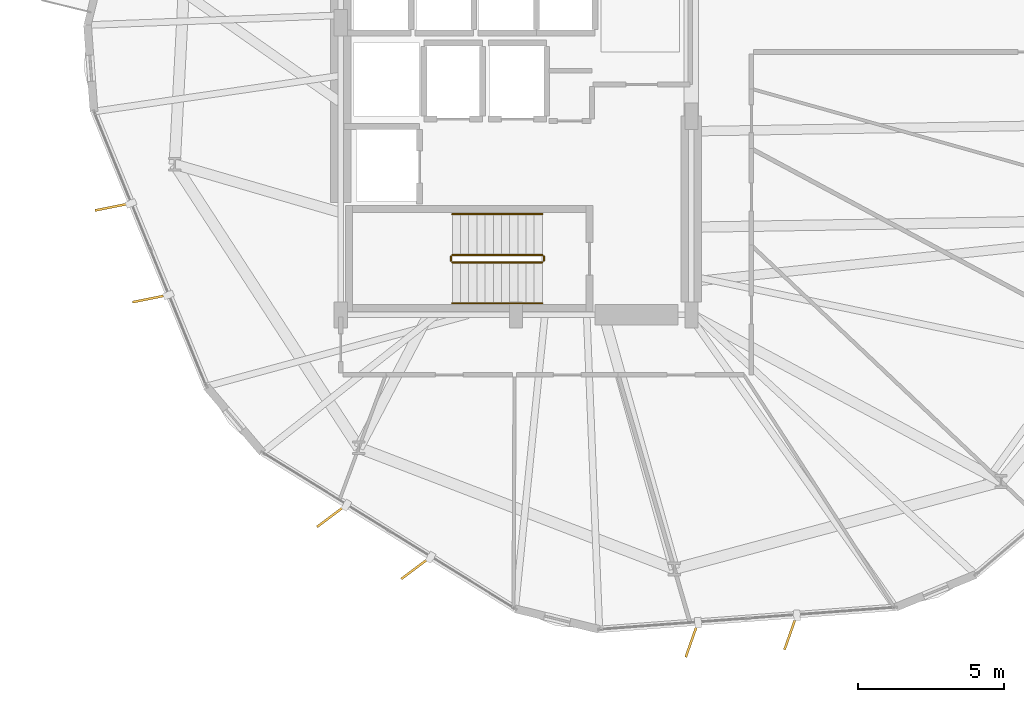
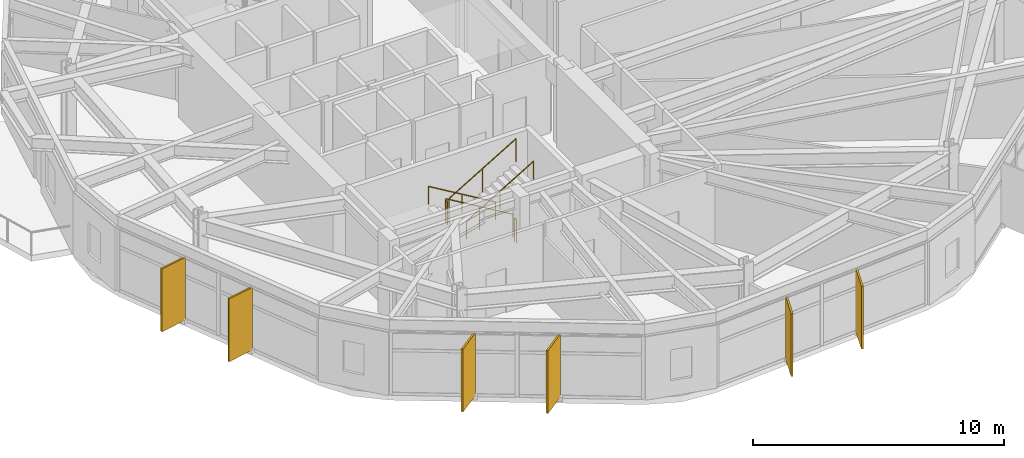
# One storey, part 20 of 22: 6 railings, 6 shading devices.
"""IFC4 building model written with IfcOpenShell, lengths in metres."""

import ifcopenshell
import ifcopenshell.guid

model = None  # the IFC model being written
_history = None  # IfcOwnerHistory: only IFC2X3 demands one
_inside = {}  # id of a spatial element -> (the spatial element, [elements in it])
_under = {}  # id of a project, library or spatial element -> (it, [spatial elements below it])
_declared = {}  # id of a project -> (the project, [libraries it declares])
_typed = {}  # id of a type object -> (the type object, [elements of that type])
_made_of = {}  # id of a material, layer set ... -> (it, [elements and type objects made of it])


def new_model(schema):
    """Start an empty IFC model of exactly this schema.

    Asked for "IFC4X3", IfcOpenShell would pick the latest addendum, in which some entities
    have other attributes; the version numbers below select the first issue.
    IFC2X3 requires an IfcOwnerHistory on every rooted entity: one is made here for all.
    """
    global model, _history
    if schema == "IFC4X3":
        model = ifcopenshell.file(schema_version=(4, 3, 0, 0))
    else:
        model = ifcopenshell.file(schema=schema)
    _inside.clear()
    _under.clear()
    _declared.clear()
    _typed.clear()
    _made_of.clear()
    _history = None
    if model.schema == "IFC2X3":
        org = make("IfcOrganization", Name="unknown")
        user = make(
            "IfcPersonAndOrganization",
            ThePerson=make("IfcPerson", FamilyName="unknown"),
            TheOrganization=org,
        )
        app = make(
            "IfcApplication",
            ApplicationDeveloper=org,
            Version="unknown",
            ApplicationFullName="unknown",
            ApplicationIdentifier="unknown",
        )
        _history = make(
            "IfcOwnerHistory",
            OwningUser=user,
            OwningApplication=app,
            ChangeAction="ADDED",
            CreationDate=0,
        )
    return model


def make(cls, **values):
    """One entity of the class cls with the attributes given. An attribute that is None is left unset."""
    return model.create_entity(
        cls, **{name: value for name, value in values.items() if value is not None}
    )


def rooted(cls, **values):
    """An entity with a GlobalId (a new one), such as an element, a storey or a relation."""
    return make(cls, GlobalId=ifcopenshell.guid.new(), OwnerHistory=_history, **values)


def si_unit(unit_type, name, prefix=None):
    """IfcSIUnit, for example si_unit("LENGTHUNIT", "METRE", prefix="MILLI")."""
    return make("IfcSIUnit", UnitType=unit_type, Prefix=prefix, Name=name)


def assignment(units):
    """IfcUnitAssignment: the units of a project."""
    return None if units is None else make("IfcUnitAssignment", Units=units)


def point(xyz):
    """IfcCartesianPoint."""
    return None if xyz is None else make("IfcCartesianPoint", Coordinates=xyz)


def direction(xyz):
    """IfcDirection."""
    return None if xyz is None else make("IfcDirection", DirectionRatios=xyz)


def frame(location, z_axis=None, x_axis=None):
    """IfcAxis2Placement3D, a coordinate frame: its origin and axes. An axis left out is left unset."""
    return make(
        "IfcAxis2Placement3D",
        Location=point(location),
        Axis=direction(z_axis),
        RefDirection=direction(x_axis),
    )


def frame_2d(location, x_axis=None):
    """IfcAxis2Placement2D, a coordinate frame in the plane: its origin and x axis."""
    return make(
        "IfcAxis2Placement2D", Location=point(location), RefDirection=direction(x_axis)
    )


def origin():
    """The frame at (0, 0, 0) with its axes left unset."""
    return frame((0.0, 0.0, 0.0))


def origin_2d():
    """The frame at (0, 0) in the plane with its x axis left unset."""
    return frame_2d((0.0, 0.0))


def place(relative_to, where):
    """IfcLocalPlacement: puts the frame where relative to a parent placement (None: the world)."""
    return make(
        "IfcLocalPlacement", PlacementRelTo=relative_to, RelativePlacement=where
    )


def context(
    kind, dimensions, precision=None, world=None, true_north=None, identifier=None
):
    """IfcGeometricRepresentationContext, for example the 3D "Model" context."""
    return make(
        "IfcGeometricRepresentationContext",
        ContextIdentifier=identifier,
        ContextType=kind,
        CoordinateSpaceDimension=dimensions,
        Precision=precision,
        WorldCoordinateSystem=world,
        TrueNorth=true_north,
    )


def subcontext(parent, identifier, kind, view, scale=None):
    """IfcGeometricRepresentationSubContext, for example "Body" below "Model"."""
    return make(
        "IfcGeometricRepresentationSubContext",
        ContextIdentifier=identifier,
        ContextType=kind,
        ParentContext=parent,
        TargetScale=scale,
        TargetView=view,
    )


def project(units=None, contexts=None):
    """IfcProject with its units and contexts."""
    return rooted(
        "IfcProject",
        Name="project",
        RepresentationContexts=contexts,
        UnitsInContext=assignment(units),
    )


def spatial(cls, under=None, at=None, **own):
    """A site, building, storey or space (cls), placed at a placement, below another one or the project."""
    s = rooted(cls, ObjectPlacement=at, **own)
    if under is not None:
        _under.setdefault(under.id(), (under, []))[1].append(s)
    return s


def profile(cls, at=None, kind="AREA", **sizes):
    """A parametric profile (cls). Its sizes go by their IFC names, for example OverallWidth=200.0."""
    return make(cls, ProfileType=kind, Position=at, **sizes)


def rectangle(**sizes):
    """IfcRectangleProfileDef."""
    return profile("IfcRectangleProfileDef", **sizes)


def circle(**sizes):
    """IfcCircleProfileDef."""
    return profile("IfcCircleProfileDef", **sizes)


def extrude(swept, where, along, depth):
    """IfcExtrudedAreaSolid: the profile swept, set in the frame where, extruded along a direction by depth."""
    return make(
        "IfcExtrudedAreaSolid",
        SweptArea=swept,
        Position=where,
        ExtrudedDirection=direction(along),
        Depth=depth,
    )


def shape(context_of_items, identifier, shape_type, items):
    """IfcShapeRepresentation: the items that make up one representation, for example the "Body"."""
    return make(
        "IfcShapeRepresentation",
        ContextOfItems=context_of_items,
        RepresentationIdentifier=identifier,
        RepresentationType=shape_type,
        Items=items,
    )


def material(Name=None, Category=None):
    """IfcMaterial."""
    return make("IfcMaterial", Name=Name, Category=Category)


def layer(
    of_material, thickness, ventilated=None, Name=None, Category=None, Priority=None
):
    """IfcMaterialLayer: one layer of a wall or slab, of a material (None: an air gap)."""
    return make(
        "IfcMaterialLayer",
        Material=of_material,
        LayerThickness=thickness,
        IsVentilated=ventilated,
        Name=Name,
        Category=Category,
        Priority=Priority,
    )


def layer_set(layers, Name=None):
    """IfcMaterialLayerSet."""
    return make("IfcMaterialLayerSet", MaterialLayers=layers, LayerSetName=Name)


def made_of(thing, what):
    """Note that an element or type object is made of a material, layer set ...; save() writes the relation."""
    if what is not None:
        _made_of.setdefault(what.id(), (what, []))[1].append(thing)
    return thing


def type_object(cls, material=None, **own):
    """A type object (cls), such as IfcWallType, which elements share."""
    return made_of(rooted(cls, **own), material)


def element(
    cls,
    number,
    at=None,
    inside=None,
    cuts=None,
    type_object=None,
    material=None,
    context=None,
    identifier="Body",
    shape_type=None,
    held_by="IfcProductDefinitionShape",
    body=None,
    shapes=None,
    **own,
):
    """One element of the class cls, such as IfcWall. Its Tag is "e" and its number.

    at: its placement. inside: the storey or other place that contains it. cuts: it is an
    opening in that element (IfcRelVoidsElement). A single representation is given by context,
    identifier, shape_type and body (its items); several are given by shapes. held_by: the class
    of the entity that holds the representations. save() writes the other relations.
    """
    e = rooted(cls, Tag="e%d" % number, ObjectPlacement=at, **own)
    if body is not None:
        shapes = [shape(context, identifier, shape_type, body)]
    if shapes is not None:
        e.Representation = make(held_by, Representations=shapes)
    if inside is not None:
        _inside.setdefault(inside.id(), (inside, []))[1].append(e)
    if cuts is not None:
        rooted(
            "IfcRelVoidsElement", RelatingBuildingElement=cuts, RelatedOpeningElement=e
        )
    if type_object is not None:
        _typed.setdefault(type_object.id(), (type_object, []))[1].append(e)
    return made_of(e, material)


def aggregate(whole, parts):
    """IfcRelAggregates: a whole, such as a stair, and the parts it consists of."""
    return rooted("IfcRelAggregates", RelatingObject=whole, RelatedObjects=parts)


def save(model, path):
    """Write the relations noted so far, then the file.

    IfcRelAggregates (storeys below a building ...), IfcRelContainedInSpatialStructure (elements
    in a storey), IfcRelDefinesByType, IfcRelAssociatesMaterial and IfcRelDeclares: one each for
    every whole, place, type object, material and project.
    """
    for whole, parts in _under.values():
        aggregate(whole, parts)
    for where, things in _inside.values():
        rooted(
            "IfcRelContainedInSpatialStructure",
            RelatedElements=things,
            RelatingStructure=where,
        )
    for kind, things in _typed.values():
        rooted("IfcRelDefinesByType", RelatedObjects=things, RelatingType=kind)
    for what, things in _made_of.values():
        rooted("IfcRelAssociatesMaterial", RelatedObjects=things, RelatingMaterial=what)
    for by, libraries in _declared.values():
        rooted("IfcRelDeclares", RelatingContext=by, RelatedDefinitions=libraries)
    model.write(path)


model = new_model("IFC4")

# Units and contexts
model_context = context("Model", 3, precision=1e-05, world=origin(), true_north=direction((0.0, 1.0)))
body_context = subcontext(model_context, "Body", "Model", "MODEL_VIEW")
ifc_project = project(units=[si_unit("LENGTHUNIT", "METRE"), si_unit("AREAUNIT", "SQUARE_METRE"), si_unit("VOLUMEUNIT", "CUBIC_METRE"), si_unit("PLANEANGLEUNIT", "RADIAN"), si_unit("MASSUNIT", "GRAM", prefix="KILO")], contexts=[model_context])

# Site, building, storey
site_placement = place(None, origin())
site = spatial("IfcSite", under=ifc_project, at=site_placement, CompositionType="ELEMENT")
building_placement = place(site_placement, origin())
building = spatial("IfcBuilding", under=site, at=building_placement, Name="Soratama Intermodal Tower", CompositionType="ELEMENT")
storey_placement = place(building_placement, frame((0.0, 0.0, 46.60009765625)))
storey = spatial("IfcBuildingStorey", under=building, at=storey_placement, Name="L10", CompositionType="ELEMENT", Elevation=46.60009765625)

# Railings
ifc_material_1 = material(Name="Painted steel stair guardrail", Category="steel")
railing_type_1 = type_object("IfcRailingType", Name="RL-STAIR-GUARD", PredefinedType="GUARDRAIL", material=ifc_material_1)
railing_1_placement = place(storey_placement, frame((39.5, 17.050048828125, 0.16650390625)))
element("IfcRailing", 1, at=railing_1_placement, inside=storey, type_object=railing_type_1, Name="L10 ST-1 stair guard 1", PredefinedType="GUARDRAIL", context=body_context, shape_type="SweptSolid", body=[
    extrude(circle(Radius=0.02392578125, at=origin_2d()), frame((0.0, 0.0, 1.1259765625), z_axis=(-0.85927862911, 0.0, 0.511507807912), x_axis=(0.0, -1.0, 0.0)), (0.0, 0.0, 1.0), 3.58447265625),
    extrude(circle(Radius=0.02099609375, at=origin_2d()), origin(), (0.0, 0.0, 1.0), 1.101806640625),
    extrude(circle(Radius=0.02099609375, at=origin_2d()), frame((-1.5400390625, 0.0, 0.916748046875)), (0.0, 0.0, 1.0), 1.101806640625),
    extrude(circle(Radius=0.02099609375, at=origin_2d()), frame((-3.080078125, 0.0, 1.83349609375)), (0.0, 0.0, 1.0), 1.101806640625),
])
railing_2_placement = place(storey_placement, frame((36.3701171875, 17.0, 2.0)))
element("IfcRailing", 2, at=railing_2_placement, inside=storey, type_object=railing_type_1, Name="L10 ST-1 stair guard 2", PredefinedType="GUARDRAIL", context=body_context, shape_type="SweptSolid", body=[
    extrude(circle(Radius=0.02392578125, at=origin_2d()), frame((0.0, 0.0, 1.1259765625), z_axis=(0.0, -1.0, 0.0), x_axis=(1.0, 0.0, 0.0)), (0.0, 0.0, 1.0), 0.14990234375),
    extrude(circle(Radius=0.02099609375, at=origin_2d()), origin(), (0.0, 0.0, 1.0), 1.101806640625),
    extrude(circle(Radius=0.02099609375, at=origin_2d()), frame((0.0, -0.14990234375, 0.0)), (0.0, 0.0, 1.0), 1.101806640625),
])
railing_3_placement = place(storey_placement, frame((36.419921875, 16.800048828125, 2.16650390625)))
element("IfcRailing", 3, at=railing_3_placement, inside=storey, type_object=railing_type_1, Name="L10 ST-1 stair guard 3", PredefinedType="GUARDRAIL", context=body_context, shape_type="SweptSolid", body=[
    extrude(circle(Radius=0.02392578125, at=origin_2d()), frame((0.0, 0.0, 1.1259765625), z_axis=(0.85927862911, 0.0, 0.511507807912), x_axis=(0.0, 1.0, 0.0)), (0.0, 0.0, 1.0), 3.58447265625),
    extrude(circle(Radius=0.02099609375, at=origin_2d()), origin(), (0.0, 0.0, 1.0), 1.101806640625),
    extrude(circle(Radius=0.02099609375, at=origin_2d()), frame((1.5400390625, 0.0, 0.916748046875)), (0.0, 0.0, 1.0), 1.101806640625),
    extrude(circle(Radius=0.02099609375, at=origin_2d()), frame((3.080078125, 0.0, 1.83349609375)), (0.0, 0.0, 1.0), 1.101806640625),
])
railing_4_placement = place(storey_placement, frame((39.550048828125, 17.0, 0.0)))
element("IfcRailing", 4, at=railing_4_placement, inside=storey, type_object=railing_type_1, Name="L10 ST-1 stair guard 4", PredefinedType="GUARDRAIL", context=body_context, shape_type="SweptSolid", body=[
    extrude(circle(Radius=0.02392578125, at=origin_2d()), frame((0.0, 0.0, 1.1259765625), z_axis=(0.0, -1.0, 0.0), x_axis=(1.0, 0.0, 0.0)), (0.0, 0.0, 1.0), 0.14990234375),
    extrude(circle(Radius=0.02099609375, at=origin_2d()), origin(), (0.0, 0.0, 1.0), 1.101806640625),
    extrude(circle(Radius=0.02099609375, at=origin_2d()), frame((0.0, -0.14990234375, 0.0)), (0.0, 0.0, 1.0), 1.101806640625),
])
ifc_material_2 = material(Name="Brushed stainless steel handrail", Category="steel")
railing_type_2 = type_object("IfcRailingType", Name="RL-STAIR-HAND", PredefinedType="HANDRAIL", material=ifc_material_2)
railing_5_placement = place(storey_placement, frame((39.5, 18.449951171875, 0.16650390625)))
element("IfcRailing", 5, at=railing_5_placement, inside=storey, type_object=railing_type_2, Name="L10 ST-1 stair handrail 1", PredefinedType="HANDRAIL", context=body_context, shape_type="SweptSolid", body=[
    extrude(circle(Radius=0.02392578125, at=origin_2d()), frame((0.0, 0.0, 0.8759765625), z_axis=(-0.85927862911, 0.0, 0.511507807912), x_axis=(0.0, -1.0, 0.0)), (0.0, 0.0, 1.0), 3.58447265625),
    extrude(circle(Radius=0.02099609375, at=origin_2d()), origin(), (0.0, 0.0, 1.0), 0.851806640625),
    extrude(circle(Radius=0.02099609375, at=origin_2d()), frame((-1.5400390625, 0.0, 0.916748046875)), (0.0, 0.0, 1.0), 0.851806640625),
    extrude(circle(Radius=0.02099609375, at=origin_2d()), frame((-3.080078125, 0.0, 1.83349609375)), (0.0, 0.0, 1.0), 0.851806640625),
])
railing_6_placement = place(storey_placement, frame((36.419921875, 15.39990234375, 2.16650390625)))
element("IfcRailing", 6, at=railing_6_placement, inside=storey, type_object=railing_type_2, Name="L10 ST-1 stair handrail 2", PredefinedType="HANDRAIL", context=body_context, shape_type="SweptSolid", body=[
    extrude(circle(Radius=0.02392578125, at=origin_2d()), frame((0.0, 0.0, 0.8759765625), z_axis=(0.85927862911, 0.0, 0.511507807912), x_axis=(0.0, 1.0, 0.0)), (0.0, 0.0, 1.0), 3.58447265625),
    extrude(circle(Radius=0.02099609375, at=origin_2d()), origin(), (0.0, 0.0, 1.0), 0.851806640625),
    extrude(circle(Radius=0.02099609375, at=origin_2d()), frame((1.5400390625, 0.0, 0.916748046875)), (0.0, 0.0, 1.0), 0.851806640625),
    extrude(circle(Radius=0.02099609375, at=origin_2d()), frame((3.080078125, 0.0, 1.83349609375)), (0.0, 0.0, 1.0), 0.851806640625),
])

# Shading devices
ifc_material_3 = material(Name="Champagne anodised aluminium solar fin", Category="aluminium")
ifc_layer = layer(ifc_material_3, 0.080078125)
ifc_layer_set = layer_set([ifc_layer], Name="Champagne anodised aluminium solar fin")
shading_device_type = type_object("IfcShadingDeviceType", Name="SH-FIN-1250", PredefinedType="USERDEFINED", material=ifc_layer_set)
for number, where, z_axis, x_axis, name in (
    (7, (24.806640625, 18.697021484375, 0.019775390625), (0.0, 0.0, 1.0), (-0.98040892658, -0.196972933884, 0.0), "L10 Solar Fin F06-1"),
    (8, (26.09033203125, 15.56103515625, 0.019775390625), (0.0, 0.0, 1.0), (-0.98040892658, -0.196972933884, 0.0), "L10 Solar Fin F06-2"),
    (9, (32.2890625, 8.118896484375, 0.019775390625), (0.0, 0.0, 1.0), (-0.79989419596, -0.600141046146, 0.0), "L10 Solar Fin F07-1"),
    (10, (35.170654296875, 6.336181640625, 0.019775390625), (0.0, 0.0, 1.0), (-0.79989419596, -0.600141046146, 0.0), "L10 Solar Fin F07-2"),
    (11, (44.614501953125, 3.8798828125, 0.019775390625), (0.0, 0.0, 1.0), (-0.332819544523, -0.942990535893, 0.0), "L10 Solar Fin F08-1"),
    (12, (47.993408203125, 4.131591796875, 0.019775390625), (0.0, 0.0, 1.0), (-0.332819544523, -0.942990535893, 0.0), "L10 Solar Fin F08-2"),
):
    element("IfcShadingDevice", number, at=place(storey_placement, frame(where, z_axis=z_axis, x_axis=x_axis)), inside=storey, type_object=shading_device_type, Name=name, ObjectType="FIN", PredefinedType="USERDEFINED", context=body_context, shape_type="SweptSolid", body=[
        extrude(rectangle(XDim=1.25, YDim=0.080078125, at=origin_2d()), origin(), (0.0, 0.0, 1.0), 3.05908203125),
    ])

save(model, "model.ifc")
